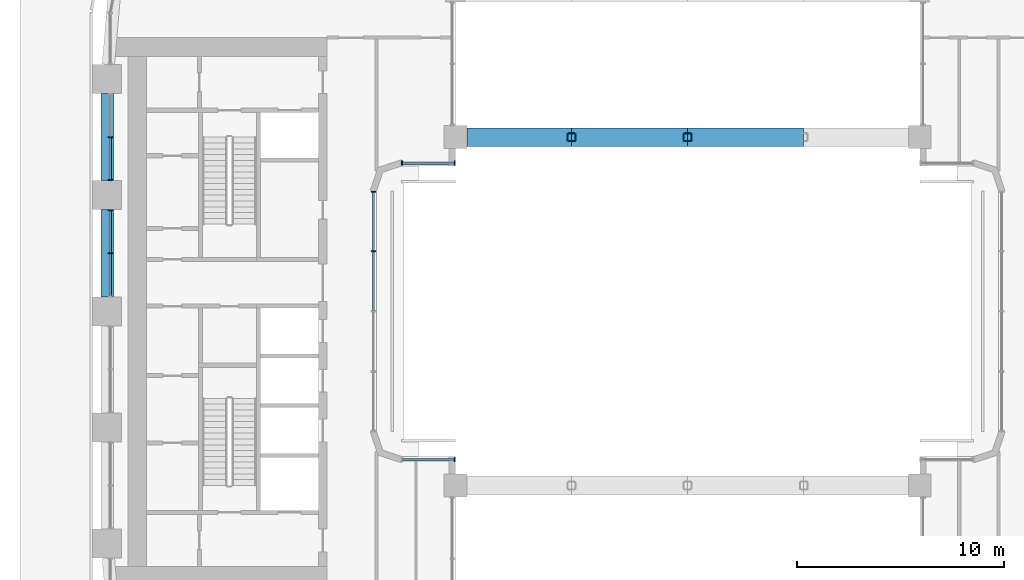
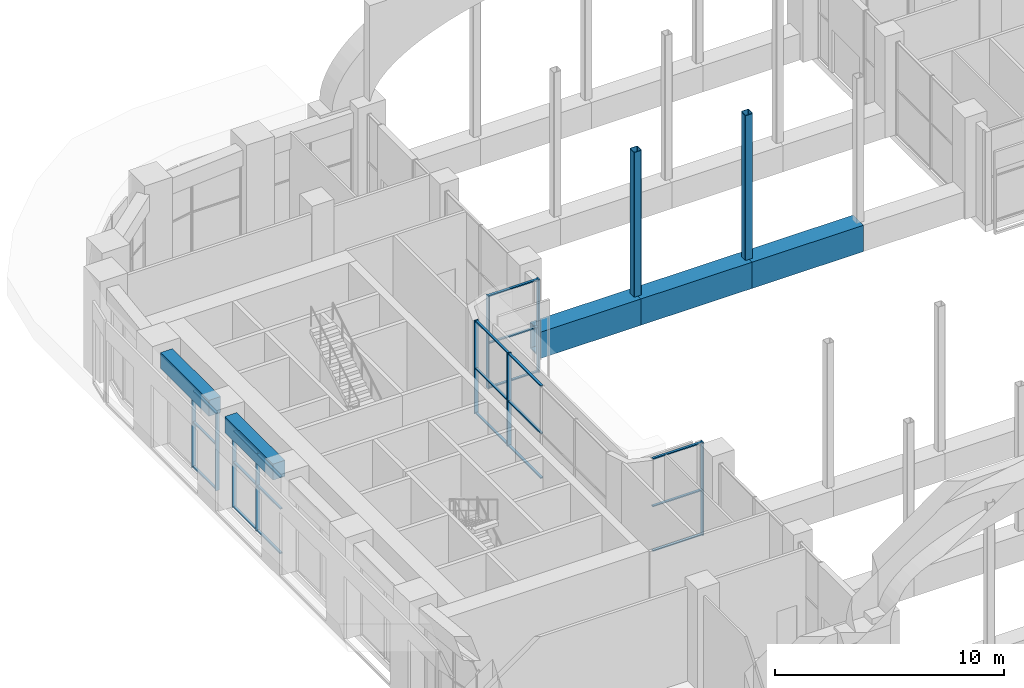
# One storey, part 4 of 27: 35 members, 2 beams, 5 elements without a shape of their own.
"""IFC4 building model written with IfcOpenShell, lengths in metres."""

import ifcopenshell
import ifcopenshell.guid

model = None  # the IFC model being written
_history = None  # IfcOwnerHistory: only IFC2X3 demands one
_inside = {}  # id of a spatial element -> (the spatial element, [elements in it])
_under = {}  # id of a project, library or spatial element -> (it, [spatial elements below it])
_declared = {}  # id of a project -> (the project, [libraries it declares])
_typed = {}  # id of a type object -> (the type object, [elements of that type])
_made_of = {}  # id of a material, layer set ... -> (it, [elements and type objects made of it])


def new_model(schema):
    """Start an empty IFC model of exactly this schema.

    Asked for "IFC4X3", IfcOpenShell would pick the latest addendum, in which some entities
    have other attributes; the version numbers below select the first issue.
    IFC2X3 requires an IfcOwnerHistory on every rooted entity: one is made here for all.
    """
    global model, _history
    if schema == "IFC4X3":
        model = ifcopenshell.file(schema_version=(4, 3, 0, 0))
    else:
        model = ifcopenshell.file(schema=schema)
    _inside.clear()
    _under.clear()
    _declared.clear()
    _typed.clear()
    _made_of.clear()
    _history = None
    if model.schema == "IFC2X3":
        org = make("IfcOrganization", Name="unknown")
        user = make(
            "IfcPersonAndOrganization",
            ThePerson=make("IfcPerson", FamilyName="unknown"),
            TheOrganization=org,
        )
        app = make(
            "IfcApplication",
            ApplicationDeveloper=org,
            Version="unknown",
            ApplicationFullName="unknown",
            ApplicationIdentifier="unknown",
        )
        _history = make(
            "IfcOwnerHistory",
            OwningUser=user,
            OwningApplication=app,
            ChangeAction="ADDED",
            CreationDate=0,
        )
    return model


def make(cls, **values):
    """One entity of the class cls with the attributes given. An attribute that is None is left unset."""
    return model.create_entity(
        cls, **{name: value for name, value in values.items() if value is not None}
    )


def rooted(cls, **values):
    """An entity with a GlobalId (a new one), such as an element, a storey or a relation."""
    return make(cls, GlobalId=ifcopenshell.guid.new(), OwnerHistory=_history, **values)


def si_unit(unit_type, name, prefix=None):
    """IfcSIUnit, for example si_unit("LENGTHUNIT", "METRE", prefix="MILLI")."""
    return make("IfcSIUnit", UnitType=unit_type, Prefix=prefix, Name=name)


def assignment(units):
    """IfcUnitAssignment: the units of a project."""
    return None if units is None else make("IfcUnitAssignment", Units=units)


def point(xyz):
    """IfcCartesianPoint."""
    return None if xyz is None else make("IfcCartesianPoint", Coordinates=xyz)


def direction(xyz):
    """IfcDirection."""
    return None if xyz is None else make("IfcDirection", DirectionRatios=xyz)


def frame(location, z_axis=None, x_axis=None):
    """IfcAxis2Placement3D, a coordinate frame: its origin and axes. An axis left out is left unset."""
    return make(
        "IfcAxis2Placement3D",
        Location=point(location),
        Axis=direction(z_axis),
        RefDirection=direction(x_axis),
    )


def frame_2d(location, x_axis=None):
    """IfcAxis2Placement2D, a coordinate frame in the plane: its origin and x axis."""
    return make(
        "IfcAxis2Placement2D", Location=point(location), RefDirection=direction(x_axis)
    )


def origin():
    """The frame at (0, 0, 0) with its axes left unset."""
    return frame((0.0, 0.0, 0.0))


def origin_2d():
    """The frame at (0, 0) in the plane with its x axis left unset."""
    return frame_2d((0.0, 0.0))


def place(relative_to, where):
    """IfcLocalPlacement: puts the frame where relative to a parent placement (None: the world)."""
    return make(
        "IfcLocalPlacement", PlacementRelTo=relative_to, RelativePlacement=where
    )


def context(
    kind, dimensions, precision=None, world=None, true_north=None, identifier=None
):
    """IfcGeometricRepresentationContext, for example the 3D "Model" context."""
    return make(
        "IfcGeometricRepresentationContext",
        ContextIdentifier=identifier,
        ContextType=kind,
        CoordinateSpaceDimension=dimensions,
        Precision=precision,
        WorldCoordinateSystem=world,
        TrueNorth=true_north,
    )


def subcontext(parent, identifier, kind, view, scale=None):
    """IfcGeometricRepresentationSubContext, for example "Body" below "Model"."""
    return make(
        "IfcGeometricRepresentationSubContext",
        ContextIdentifier=identifier,
        ContextType=kind,
        ParentContext=parent,
        TargetScale=scale,
        TargetView=view,
    )


def project(units=None, contexts=None):
    """IfcProject with its units and contexts."""
    return rooted(
        "IfcProject",
        Name="project",
        RepresentationContexts=contexts,
        UnitsInContext=assignment(units),
    )


def spatial(cls, under=None, at=None, **own):
    """A site, building, storey or space (cls), placed at a placement, below another one or the project."""
    s = rooted(cls, ObjectPlacement=at, **own)
    if under is not None:
        _under.setdefault(under.id(), (under, []))[1].append(s)
    return s


def profile(cls, at=None, kind="AREA", **sizes):
    """A parametric profile (cls). Its sizes go by their IFC names, for example OverallWidth=200.0."""
    return make(cls, ProfileType=kind, Position=at, **sizes)


def rectangle(**sizes):
    """IfcRectangleProfileDef."""
    return profile("IfcRectangleProfileDef", **sizes)


def hollow_rectangle(**sizes):
    """IfcRectangleHollowProfileDef."""
    return profile("IfcRectangleHollowProfileDef", **sizes)


def extrude(swept, where, along, depth):
    """IfcExtrudedAreaSolid: the profile swept, set in the frame where, extruded along a direction by depth."""
    return make(
        "IfcExtrudedAreaSolid",
        SweptArea=swept,
        Position=where,
        ExtrudedDirection=direction(along),
        Depth=depth,
    )


def shape(context_of_items, identifier, shape_type, items):
    """IfcShapeRepresentation: the items that make up one representation, for example the "Body"."""
    return make(
        "IfcShapeRepresentation",
        ContextOfItems=context_of_items,
        RepresentationIdentifier=identifier,
        RepresentationType=shape_type,
        Items=items,
    )


def material(Name=None, Category=None):
    """IfcMaterial."""
    return make("IfcMaterial", Name=Name, Category=Category)


def layer(
    of_material, thickness, ventilated=None, Name=None, Category=None, Priority=None
):
    """IfcMaterialLayer: one layer of a wall or slab, of a material (None: an air gap)."""
    return make(
        "IfcMaterialLayer",
        Material=of_material,
        LayerThickness=thickness,
        IsVentilated=ventilated,
        Name=Name,
        Category=Category,
        Priority=Priority,
    )


def layer_set(layers, Name=None):
    """IfcMaterialLayerSet."""
    return make("IfcMaterialLayerSet", MaterialLayers=layers, LayerSetName=Name)


def material_profile(
    of_material, cross_section, Name=None, Category=None, Priority=None
):
    """IfcMaterialProfile: a cross section and its material."""
    return make(
        "IfcMaterialProfile",
        Name=Name,
        Material=of_material,
        Profile=cross_section,
        Priority=Priority,
        Category=Category,
    )


def profile_set(profiles, Name=None, composite=None):
    """IfcMaterialProfileSet."""
    return make(
        "IfcMaterialProfileSet",
        Name=Name,
        MaterialProfiles=profiles,
        CompositeProfile=composite,
    )


def made_of(thing, what):
    """Note that an element or type object is made of a material, layer set ...; save() writes the relation."""
    if what is not None:
        _made_of.setdefault(what.id(), (what, []))[1].append(thing)
    return thing


def type_object(cls, material=None, **own):
    """A type object (cls), such as IfcWallType, which elements share."""
    return made_of(rooted(cls, **own), material)


def element(
    cls,
    number,
    at=None,
    inside=None,
    cuts=None,
    type_object=None,
    material=None,
    context=None,
    identifier="Body",
    shape_type=None,
    held_by="IfcProductDefinitionShape",
    body=None,
    shapes=None,
    **own,
):
    """One element of the class cls, such as IfcWall. Its Tag is "e" and its number.

    at: its placement. inside: the storey or other place that contains it. cuts: it is an
    opening in that element (IfcRelVoidsElement). A single representation is given by context,
    identifier, shape_type and body (its items); several are given by shapes. held_by: the class
    of the entity that holds the representations. save() writes the other relations.
    """
    e = rooted(cls, Tag="e%d" % number, ObjectPlacement=at, **own)
    if body is not None:
        shapes = [shape(context, identifier, shape_type, body)]
    if shapes is not None:
        e.Representation = make(held_by, Representations=shapes)
    if inside is not None:
        _inside.setdefault(inside.id(), (inside, []))[1].append(e)
    if cuts is not None:
        rooted(
            "IfcRelVoidsElement", RelatingBuildingElement=cuts, RelatedOpeningElement=e
        )
    if type_object is not None:
        _typed.setdefault(type_object.id(), (type_object, []))[1].append(e)
    return made_of(e, material)


def aggregate(whole, parts):
    """IfcRelAggregates: a whole, such as a stair, and the parts it consists of."""
    return rooted("IfcRelAggregates", RelatingObject=whole, RelatedObjects=parts)


def save(model, path):
    """Write the relations noted so far, then the file.

    IfcRelAggregates (storeys below a building ...), IfcRelContainedInSpatialStructure (elements
    in a storey), IfcRelDefinesByType, IfcRelAssociatesMaterial and IfcRelDeclares: one each for
    every whole, place, type object, material and project.
    """
    for whole, parts in _under.values():
        aggregate(whole, parts)
    for where, things in _inside.values():
        rooted(
            "IfcRelContainedInSpatialStructure",
            RelatedElements=things,
            RelatingStructure=where,
        )
    for kind, things in _typed.values():
        rooted("IfcRelDefinesByType", RelatedObjects=things, RelatingType=kind)
    for what, things in _made_of.values():
        rooted("IfcRelAssociatesMaterial", RelatedObjects=things, RelatingMaterial=what)
    for by, libraries in _declared.values():
        rooted("IfcRelDeclares", RelatingContext=by, RelatedDefinitions=libraries)
    model.write(path)


model = new_model("IFC4")

# Units and contexts
model_context = context("Model", 3, precision=1e-05, world=origin(), true_north=direction((0.0, 1.0)))
body_context = subcontext(model_context, "Body", "Model", "MODEL_VIEW")
ifc_project = project(units=[si_unit("LENGTHUNIT", "METRE"), si_unit("AREAUNIT", "SQUARE_METRE"), si_unit("VOLUMEUNIT", "CUBIC_METRE"), si_unit("PLANEANGLEUNIT", "RADIAN"), si_unit("MASSUNIT", "GRAM", prefix="KILO")], contexts=[model_context])

# Site, building, storey
site_placement = place(None, origin())
site = spatial("IfcSite", under=ifc_project, at=site_placement, CompositionType="ELEMENT")
building_placement = place(site_placement, origin())
building = spatial("IfcBuilding", under=site, at=building_placement, Name="Kiln Ring Residences", CompositionType="ELEMENT")
storey_placement = place(building_placement, frame((0.0, 0.0, 72.5)))
storey = spatial("IfcBuildingStorey", under=building, at=storey_placement, Name="L18", CompositionType="ELEMENT", Elevation=72.5)

# Members
ifc_material_1 = material(Name="Steel S460", Category="steel")
ifc_material_profile_1 = material_profile(ifc_material_1, hollow_rectangle(XDim=0.89990234375, YDim=1.39990234375, WallThickness=0.080078125, at=origin_2d()), Name="BOX1400x900x80")
ifc_profile_set_1 = profile_set([ifc_material_profile_1], Name="Steel S460")
member_type_1 = type_object("IfcMemberType", Name="Bridge truss chord BOX1400x900x80 S460", PredefinedType="CHORD", material=ifc_profile_set_1)
member_1_placement = place(storey_placement, frame((-10.64990234375, 8.39990234375, 0.699951171875), z_axis=(1.0, 0.0, 0.0), x_axis=(0.0, 1.0, 0.0)))
element("IfcMember", 1, at=member_1_placement, inside=storey, type_object=member_type_1, Name="Bridge truss chord L18 21", PredefinedType="CHORD", context=body_context, shape_type="SweptSolid", body=[
    extrude(hollow_rectangle(XDim=0.89990234375, YDim=1.39990234375, WallThickness=0.080078125, at=origin_2d()), origin(), (0.0, 0.0, 1.0), 5.0498046875),
])
for number, where, z_axis, x_axis, name in (
    (2, (-5.60009765625, 8.39990234375, 0.699951171875), (1.0, 0.0, 0.0), (0.0, 1.0, 0.0), "Bridge truss chord L18 22"),
    (3, (0.0, 8.39990234375, 0.699951171875), (1.0, 0.0, 0.0), (0.0, 1.0, 0.0), "Bridge truss chord L18 23"),
):
    element("IfcMember", number, at=place(storey_placement, frame(where, z_axis=z_axis, x_axis=x_axis)), inside=storey, type_object=member_type_1, Name=name, PredefinedType="CHORD", context=body_context, shape_type="SweptSolid", body=[
        extrude(hollow_rectangle(XDim=0.89990234375, YDim=1.39990234375, WallThickness=0.080078125, at=origin_2d()), origin(), (0.0, 0.0, 1.0), 5.60009765625),
    ])
ifc_material_2 = material(Name="Steel S355", Category="steel")
ifc_material_profile_2 = material_profile(ifc_material_2, hollow_rectangle(XDim=0.39990234375, YDim=0.39990234375, WallThickness=0.02490234375, InnerFilletRadius=0.02490234375, OuterFilletRadius=0.0625, at=origin_2d()), Name="SHS400x400x25")
ifc_profile_set_2 = profile_set([ifc_material_profile_2], Name="Steel S355")
member_type_2 = type_object("IfcMemberType", Name="Bridge truss post SHS400x400x25 S355", PredefinedType="POST", material=ifc_profile_set_2)
for number, where, z_axis, x_axis, name in (
    (4, (-5.60009765625, 8.39990234375, 1.39990234375), (0.0, 0.0, 1.0), (1.0, 0.0, 0.0), "Bridge truss post L18 16"),
    (5, (0.0, 8.39990234375, 1.39990234375), (0.0, 0.0, 1.0), (1.0, 0.0, 0.0), "Bridge truss post L18 17"),
):
    element("IfcMember", number, at=place(storey_placement, frame(where, z_axis=z_axis, x_axis=x_axis)), inside=storey, type_object=member_type_2, Name=name, PredefinedType="POST", context=body_context, shape_type="SweptSolid", body=[
        extrude(hollow_rectangle(XDim=0.39990234375, YDim=0.39990234375, WallThickness=0.02490234375, InnerFilletRadius=0.02490234375, OuterFilletRadius=0.0625, at=origin_2d()), origin(), (0.0, 0.0, 1.0), 7.7001953125),
    ])

# Curtain wall, member
ifc_material_3 = material(Name="Aluminium and glass", Category="aluminium")
ifc_layer = layer(ifc_material_3, 0.199951171875)
ifc_layer_set = layer_set([ifc_layer], Name="CW1 CURTAIN WALL")
curtain_wall_type = type_object("IfcCurtainWallType", Name="CW1 CURTAIN WALL", PredefinedType="NOTDEFINED", material=ifc_layer_set)
placement = place(storey_placement, origin())
curtain_wall_1 = element("IfcCurtainWall", 6, at=placement, inside=storey, type_object=curtain_wall_type, Name="Curtain wall CW1 L18", PredefinedType="NOTDEFINED")
ifc_material_4 = material(Name="Aluminium 6063-T6", Category="aluminium")
ifc_material_profile_3 = material_profile(ifc_material_4, rectangle(XDim=0.199951171875, YDim=0.06005859375, at=origin_2d()), Name="AL 200x60")
ifc_profile_set_3 = profile_set([ifc_material_profile_3], Name="Aluminium 6063-T6")
member_type_3 = type_object("IfcMemberType", Name="CW1 MULLION 200 x 60", PredefinedType="MULLION", material=ifc_profile_set_3)
member_2_placement = place(storey_placement, frame((-11.22998046875, -7.14990234375, 0.0), z_axis=(0.0, 0.0, 1.0), x_axis=(0.0, -1.0, 0.0)))
member_2 = element("IfcMember", 7, at=member_2_placement, type_object=member_type_3, Name="CW1 mullion 1", PredefinedType="MULLION", context=body_context, shape_type="SweptSolid", body=[
    extrude(rectangle(XDim=0.199951171875, YDim=0.06005859375, at=origin_2d()), origin(), (0.0, 0.0, 1.0), 4.949951171875),
])

# Curtain wall, members
curtain_wall_2 = element("IfcCurtainWall", 8, at=placement, inside=storey, type_object=curtain_wall_type, Name="Curtain wall CW1 L18", PredefinedType="NOTDEFINED")
member_3_placement = place(storey_placement, frame((-15.14990234375, 2.89990234375, 0.0), z_axis=(0.0, 0.0, 1.0), x_axis=(-1.0, 0.0, 0.0)))
member_3 = element("IfcMember", 9, at=member_3_placement, type_object=member_type_3, Name="CW1 mullion 4", PredefinedType="MULLION", context=body_context, shape_type="SweptSolid", body=[
    extrude(rectangle(XDim=0.199951171875, YDim=0.06005859375, at=origin_2d()), origin(), (0.0, 0.0, 1.0), 4.949951171875),
])
member_4_placement = place(storey_placement, frame((-15.14990234375, 5.77001953125, 0.0), z_axis=(0.0, 0.0, 1.0), x_axis=(-1.0, 0.0, 0.0)))
member_4 = element("IfcMember", 10, at=member_4_placement, type_object=member_type_3, Name="CW1 mullion 5", PredefinedType="MULLION", context=body_context, shape_type="SweptSolid", body=[
    extrude(rectangle(XDim=0.199951171875, YDim=0.06005859375, at=origin_2d()), origin(), (0.0, 0.0, 1.0), 4.949951171875),
])

curtain_wall_3 = element("IfcCurtainWall", 11, at=placement, inside=storey, type_object=curtain_wall_type, Name="Curtain wall CW1 L18", PredefinedType="NOTDEFINED")
member_5_placement = place(storey_placement, frame((-13.77001953125, 7.14990234375, 0.0), z_axis=(0.0, 0.0, 1.0), x_axis=(0.0, 1.0, 0.0)))
member_5 = element("IfcMember", 12, at=member_5_placement, type_object=member_type_3, Name="CW1 mullion 1", PredefinedType="MULLION", context=body_context, shape_type="SweptSolid", body=[
    extrude(rectangle(XDim=0.199951171875, YDim=0.06005859375, at=origin_2d()), origin(), (0.0, 0.0, 1.0), 4.949951171875),
])
member_6_placement = place(storey_placement, frame((-11.22998046875, 7.14990234375, 0.0), z_axis=(0.0, 0.0, 1.0), x_axis=(0.0, 1.0, 0.0)))
member_6 = element("IfcMember", 13, at=member_6_placement, type_object=member_type_3, Name="CW1 mullion 2", PredefinedType="MULLION", context=body_context, shape_type="SweptSolid", body=[
    extrude(rectangle(XDim=0.199951171875, YDim=0.06005859375, at=origin_2d()), origin(), (0.0, 0.0, 1.0), 4.949951171875),
])

curtain_wall_4 = element("IfcCurtainWall", 14, at=placement, inside=storey, type_object=curtain_wall_type, Name="Curtain wall CW1 L18", PredefinedType="NOTDEFINED")
member_7_placement = place(storey_placement, frame((-27.85009765625, 8.39990234375, 0.0), z_axis=(0.0, 0.0, 1.0), x_axis=(1.0, 0.0, 0.0)))
member_7 = element("IfcMember", 15, at=member_7_placement, type_object=member_type_3, Name="CW1 mullion 2", PredefinedType="MULLION", context=body_context, shape_type="SweptSolid", body=[
    extrude(rectangle(XDim=0.199951171875, YDim=0.06005859375, at=origin_2d()), origin(), (0.0, 0.0, 1.0), 4.10009765625),
])
member_8_placement = place(storey_placement, frame((-27.85009765625, 6.330078125, 0.0), z_axis=(0.0, 0.0, 1.0), x_axis=(1.0, 0.0, 0.0)))
member_8 = element("IfcMember", 16, at=member_8_placement, type_object=member_type_3, Name="CW1 mullion 3", PredefinedType="MULLION", context=body_context, shape_type="SweptSolid", body=[
    extrude(rectangle(XDim=0.199951171875, YDim=0.06005859375, at=origin_2d()), origin(), (0.0, 0.0, 1.0), 4.10009765625),
])

curtain_wall_5 = element("IfcCurtainWall", 17, at=placement, inside=storey, type_object=curtain_wall_type, Name="Curtain wall CW1 L18", PredefinedType="NOTDEFINED")
member_9_placement = place(storey_placement, frame((-27.85009765625, 4.8701171875, 0.0), z_axis=(0.0, 0.0, 1.0), x_axis=(1.0, 0.0, 0.0)))
member_9 = element("IfcMember", 18, at=member_9_placement, type_object=member_type_3, Name="CW1 mullion 1", PredefinedType="MULLION", context=body_context, shape_type="SweptSolid", body=[
    extrude(rectangle(XDim=0.199951171875, YDim=0.06005859375, at=origin_2d()), origin(), (0.0, 0.0, 1.0), 4.10009765625),
])
member_10_placement = place(storey_placement, frame((-27.85009765625, 2.800048828125, 0.0), z_axis=(0.0, 0.0, 1.0), x_axis=(1.0, 0.0, 0.0)))
member_10 = element("IfcMember", 19, at=member_10_placement, type_object=member_type_3, Name="CW1 mullion 2", PredefinedType="MULLION", context=body_context, shape_type="SweptSolid", body=[
    extrude(rectangle(XDim=0.199951171875, YDim=0.06005859375, at=origin_2d()), origin(), (0.0, 0.0, 1.0), 4.10009765625),
])

# Member
ifc_material_5 = material(Name="Aluminium 6063-T6", Category="aluminium")
ifc_material_profile_4 = material_profile(ifc_material_5, rectangle(XDim=0.1201171875, YDim=0.06005859375, at=origin_2d()), Name="AL 120x60")
ifc_profile_set_4 = profile_set([ifc_material_profile_4], Name="Aluminium 6063-T6")
member_type_4 = type_object("IfcMemberType", Name="CW1 TRANSOM 120 x 60", PredefinedType="USERDEFINED", material=ifc_profile_set_4)
member_11_placement = place(storey_placement, frame((-11.260009765625, -7.14990234375, 0.030029296875), z_axis=(-1.0, 0.0, 0.0), x_axis=(0.0, -1.0, 0.0)))
member_11 = element("IfcMember", 20, at=member_11_placement, type_object=member_type_4, Name="CW1 transom 1.1", ObjectType="TRANSOM", PredefinedType="USERDEFINED", context=body_context, shape_type="SweptSolid", body=[
    extrude(rectangle(XDim=0.1201171875, YDim=0.06005859375, at=origin_2d()), origin(), (0.0, 0.0, 1.0), 2.47998046875),
])

member_12_placement = place(storey_placement, frame((-11.260009765625, -7.14990234375, 2.39990234375), z_axis=(-1.0, 0.0, 0.0), x_axis=(0.0, -1.0, 0.0)))
member_12 = element("IfcMember", 21, at=member_12_placement, type_object=member_type_4, Name="CW1 transom 1.2", ObjectType="TRANSOM", PredefinedType="USERDEFINED", context=body_context, shape_type="SweptSolid", body=[
    extrude(rectangle(XDim=0.1201171875, YDim=0.06005859375, at=origin_2d()), origin(), (0.0, 0.0, 1.0), 2.47998046875),
])

member_13_placement = place(storey_placement, frame((-11.260009765625, -7.14990234375, 4.919921875), z_axis=(-1.0, 0.0, 0.0), x_axis=(0.0, -1.0, 0.0)))
member_13 = element("IfcMember", 22, at=member_13_placement, type_object=member_type_4, Name="CW1 transom 1.3", ObjectType="TRANSOM", PredefinedType="USERDEFINED", context=body_context, shape_type="SweptSolid", body=[
    extrude(rectangle(XDim=0.1201171875, YDim=0.06005859375, at=origin_2d()), origin(), (0.0, 0.0, 1.0), 2.47998046875),
])

aggregate(curtain_wall_1, [member_2, member_11, member_12, member_13])

member_14_placement = place(storey_placement, frame((-15.14990234375, 0.030029296875, 0.030029296875), z_axis=(0.0, 1.0, 0.0), x_axis=(-1.0, 0.0, 0.0)))
member_14 = element("IfcMember", 23, at=member_14_placement, type_object=member_type_4, Name="CW1 transom 3.1", ObjectType="TRANSOM", PredefinedType="USERDEFINED", context=body_context, shape_type="SweptSolid", body=[
    extrude(rectangle(XDim=0.1201171875, YDim=0.06005859375, at=origin_2d()), origin(), (0.0, 0.0, 1.0), 2.840087890625),
])

member_15_placement = place(storey_placement, frame((-15.14990234375, 0.030029296875, 2.39990234375), z_axis=(0.0, 1.0, 0.0), x_axis=(-1.0, 0.0, 0.0)))
member_15 = element("IfcMember", 24, at=member_15_placement, type_object=member_type_4, Name="CW1 transom 3.2", ObjectType="TRANSOM", PredefinedType="USERDEFINED", context=body_context, shape_type="SweptSolid", body=[
    extrude(rectangle(XDim=0.1201171875, YDim=0.06005859375, at=origin_2d()), origin(), (0.0, 0.0, 1.0), 2.840087890625),
])

member_16_placement = place(storey_placement, frame((-15.14990234375, 0.030029296875, 4.919921875), z_axis=(0.0, 1.0, 0.0), x_axis=(-1.0, 0.0, 0.0)))
member_16 = element("IfcMember", 25, at=member_16_placement, type_object=member_type_4, Name="CW1 transom 3.3", ObjectType="TRANSOM", PredefinedType="USERDEFINED", context=body_context, shape_type="SweptSolid", body=[
    extrude(rectangle(XDim=0.1201171875, YDim=0.06005859375, at=origin_2d()), origin(), (0.0, 0.0, 1.0), 2.840087890625),
])

member_17_placement = place(storey_placement, frame((-15.14990234375, 2.929931640625, 0.030029296875), z_axis=(0.0, 1.0, 0.0), x_axis=(-1.0, 0.0, 0.0)))
member_17 = element("IfcMember", 26, at=member_17_placement, type_object=member_type_4, Name="CW1 transom 4.1", ObjectType="TRANSOM", PredefinedType="USERDEFINED", context=body_context, shape_type="SweptSolid", body=[
    extrude(rectangle(XDim=0.1201171875, YDim=0.06005859375, at=origin_2d()), origin(), (0.0, 0.0, 1.0), 2.81005859375),
])

member_18_placement = place(storey_placement, frame((-15.14990234375, 2.929931640625, 2.39990234375), z_axis=(0.0, 1.0, 0.0), x_axis=(-1.0, 0.0, 0.0)))
member_18 = element("IfcMember", 27, at=member_18_placement, type_object=member_type_4, Name="CW1 transom 4.2", ObjectType="TRANSOM", PredefinedType="USERDEFINED", context=body_context, shape_type="SweptSolid", body=[
    extrude(rectangle(XDim=0.1201171875, YDim=0.06005859375, at=origin_2d()), origin(), (0.0, 0.0, 1.0), 2.81005859375),
])

member_19_placement = place(storey_placement, frame((-15.14990234375, 2.929931640625, 4.919921875), z_axis=(0.0, 1.0, 0.0), x_axis=(-1.0, 0.0, 0.0)))
member_19 = element("IfcMember", 28, at=member_19_placement, type_object=member_type_4, Name="CW1 transom 4.3", ObjectType="TRANSOM", PredefinedType="USERDEFINED", context=body_context, shape_type="SweptSolid", body=[
    extrude(rectangle(XDim=0.1201171875, YDim=0.06005859375, at=origin_2d()), origin(), (0.0, 0.0, 1.0), 2.81005859375),
])

aggregate(curtain_wall_2, [member_3, member_4, member_14, member_15, member_16, member_17, member_18, member_19])

member_20_placement = place(storey_placement, frame((-13.739990234375, 7.14990234375, 0.030029296875), z_axis=(1.0, 0.0, 0.0), x_axis=(0.0, 1.0, 0.0)))
member_20 = element("IfcMember", 29, at=member_20_placement, type_object=member_type_4, Name="CW1 transom 1.1", ObjectType="TRANSOM", PredefinedType="USERDEFINED", context=body_context, shape_type="SweptSolid", body=[
    extrude(rectangle(XDim=0.1201171875, YDim=0.06005859375, at=origin_2d()), origin(), (0.0, 0.0, 1.0), 2.47998046875),
])

member_21_placement = place(storey_placement, frame((-13.739990234375, 7.14990234375, 2.39990234375), z_axis=(1.0, 0.0, 0.0), x_axis=(0.0, 1.0, 0.0)))
member_21 = element("IfcMember", 30, at=member_21_placement, type_object=member_type_4, Name="CW1 transom 1.2", ObjectType="TRANSOM", PredefinedType="USERDEFINED", context=body_context, shape_type="SweptSolid", body=[
    extrude(rectangle(XDim=0.1201171875, YDim=0.06005859375, at=origin_2d()), origin(), (0.0, 0.0, 1.0), 2.47998046875),
])

member_22_placement = place(storey_placement, frame((-13.739990234375, 7.14990234375, 4.919921875), z_axis=(1.0, 0.0, 0.0), x_axis=(0.0, 1.0, 0.0)))
member_22 = element("IfcMember", 31, at=member_22_placement, type_object=member_type_4, Name="CW1 transom 1.3", ObjectType="TRANSOM", PredefinedType="USERDEFINED", context=body_context, shape_type="SweptSolid", body=[
    extrude(rectangle(XDim=0.1201171875, YDim=0.06005859375, at=origin_2d()), origin(), (0.0, 0.0, 1.0), 2.47998046875),
])

aggregate(curtain_wall_3, [member_5, member_6, member_20, member_21, member_22])

member_23_placement = place(storey_placement, frame((-27.85009765625, 8.3701171875, 0.030029296875), z_axis=(0.0, -1.0, 0.0), x_axis=(1.0, 0.0, 0.0)))
member_23 = element("IfcMember", 32, at=member_23_placement, type_object=member_type_4, Name="CW1 transom 2.1", ObjectType="TRANSOM", PredefinedType="USERDEFINED", context=body_context, shape_type="SweptSolid", body=[
    extrude(rectangle(XDim=0.1201171875, YDim=0.06005859375, at=origin_2d()), origin(), (0.0, 0.0, 1.0), 2.010009765625),
])

member_24_placement = place(storey_placement, frame((-27.85009765625, 8.3701171875, 2.39990234375), z_axis=(0.0, -1.0, 0.0), x_axis=(1.0, 0.0, 0.0)))
member_24 = element("IfcMember", 33, at=member_24_placement, type_object=member_type_4, Name="CW1 transom 2.2", ObjectType="TRANSOM", PredefinedType="USERDEFINED", context=body_context, shape_type="SweptSolid", body=[
    extrude(rectangle(XDim=0.1201171875, YDim=0.06005859375, at=origin_2d()), origin(), (0.0, 0.0, 1.0), 2.010009765625),
])

member_25_placement = place(storey_placement, frame((-27.85009765625, 8.3701171875, 4.070068359375), z_axis=(0.0, -1.0, 0.0), x_axis=(1.0, 0.0, 0.0)))
member_25 = element("IfcMember", 34, at=member_25_placement, type_object=member_type_4, Name="CW1 transom 2.3", ObjectType="TRANSOM", PredefinedType="USERDEFINED", context=body_context, shape_type="SweptSolid", body=[
    extrude(rectangle(XDim=0.1201171875, YDim=0.06005859375, at=origin_2d()), origin(), (0.0, 0.0, 1.0), 2.010009765625),
])

aggregate(curtain_wall_4, [member_7, member_8, member_23, member_24, member_25])

member_26_placement = place(storey_placement, frame((-27.85009765625, 4.840087890625, 0.030029296875), z_axis=(0.0, -1.0, 0.0), x_axis=(1.0, 0.0, 0.0)))
member_26 = element("IfcMember", 35, at=member_26_placement, type_object=member_type_4, Name="CW1 transom 1.1", ObjectType="TRANSOM", PredefinedType="USERDEFINED", context=body_context, shape_type="SweptSolid", body=[
    extrude(rectangle(XDim=0.1201171875, YDim=0.06005859375, at=origin_2d()), origin(), (0.0, 0.0, 1.0), 2.010009765625),
])

member_27_placement = place(storey_placement, frame((-27.85009765625, 4.840087890625, 2.39990234375), z_axis=(0.0, -1.0, 0.0), x_axis=(1.0, 0.0, 0.0)))
member_27 = element("IfcMember", 36, at=member_27_placement, type_object=member_type_4, Name="CW1 transom 1.2", ObjectType="TRANSOM", PredefinedType="USERDEFINED", context=body_context, shape_type="SweptSolid", body=[
    extrude(rectangle(XDim=0.1201171875, YDim=0.06005859375, at=origin_2d()), origin(), (0.0, 0.0, 1.0), 2.010009765625),
])

member_28_placement = place(storey_placement, frame((-27.85009765625, 4.840087890625, 4.070068359375), z_axis=(0.0, -1.0, 0.0), x_axis=(1.0, 0.0, 0.0)))
member_28 = element("IfcMember", 37, at=member_28_placement, type_object=member_type_4, Name="CW1 transom 1.3", ObjectType="TRANSOM", PredefinedType="USERDEFINED", context=body_context, shape_type="SweptSolid", body=[
    extrude(rectangle(XDim=0.1201171875, YDim=0.06005859375, at=origin_2d()), origin(), (0.0, 0.0, 1.0), 2.010009765625),
])

member_29_placement = place(storey_placement, frame((-27.85009765625, 2.77001953125, 0.030029296875), z_axis=(0.0, -1.0, 0.0), x_axis=(1.0, 0.0, 0.0)))
member_29 = element("IfcMember", 38, at=member_29_placement, type_object=member_type_4, Name="CW1 transom 2.1", ObjectType="TRANSOM", PredefinedType="USERDEFINED", context=body_context, shape_type="SweptSolid", body=[
    extrude(rectangle(XDim=0.1201171875, YDim=0.06005859375, at=origin_2d()), origin(), (0.0, 0.0, 1.0), 2.010009765625),
])

member_30_placement = place(storey_placement, frame((-27.85009765625, 2.77001953125, 2.39990234375), z_axis=(0.0, -1.0, 0.0), x_axis=(1.0, 0.0, 0.0)))
member_30 = element("IfcMember", 39, at=member_30_placement, type_object=member_type_4, Name="CW1 transom 2.2", ObjectType="TRANSOM", PredefinedType="USERDEFINED", context=body_context, shape_type="SweptSolid", body=[
    extrude(rectangle(XDim=0.1201171875, YDim=0.06005859375, at=origin_2d()), origin(), (0.0, 0.0, 1.0), 2.010009765625),
])

member_31_placement = place(storey_placement, frame((-27.85009765625, 2.77001953125, 4.070068359375), z_axis=(0.0, -1.0, 0.0), x_axis=(1.0, 0.0, 0.0)))
member_31 = element("IfcMember", 40, at=member_31_placement, type_object=member_type_4, Name="CW1 transom 2.3", ObjectType="TRANSOM", PredefinedType="USERDEFINED", context=body_context, shape_type="SweptSolid", body=[
    extrude(rectangle(XDim=0.1201171875, YDim=0.06005859375, at=origin_2d()), origin(), (0.0, 0.0, 1.0), 2.010009765625),
])

aggregate(curtain_wall_5, [member_9, member_10, member_26, member_27, member_28, member_29, member_30, member_31])

# Beams
ifc_material_6 = material(Name="Concrete C50/60", Category="concrete")
ifc_material_profile_5 = material_profile(ifc_material_6, rectangle(XDim=0.60009765625, YDim=0.85009765625, at=origin_2d()), Name="RC600x850")
ifc_profile_set_5 = profile_set([ifc_material_profile_5], Name="Concrete C50/60")
beam_type = type_object("IfcBeamType", Name="Spandrel beam RC600x850 C50/60", PredefinedType="SPANDREL", material=ifc_profile_set_5)
for number, where, z_axis, x_axis, name in (
    (41, (-28.0, 10.5, 4.52490234375), (0.0, -1.0, 0.0), (1.0, 0.0, 0.0), "Spandrel beam L18 19"),
    (42, (-28.0, 4.89990234375, 4.52490234375), (0.0, -1.0, 0.0), (1.0, 0.0, 0.0), "Spandrel beam L18 20"),
):
    element("IfcBeam", number, at=place(storey_placement, frame(where, z_axis=z_axis, x_axis=x_axis)), inside=storey, type_object=beam_type, Name=name, PredefinedType="SPANDREL", context=body_context, shape_type="SweptSolid", body=[
        extrude(rectangle(XDim=0.60009765625, YDim=0.85009765625, at=origin_2d()), origin(), (0.0, 0.0, 1.0), 4.199951171875),
    ])

save(model, "model.ifc")
